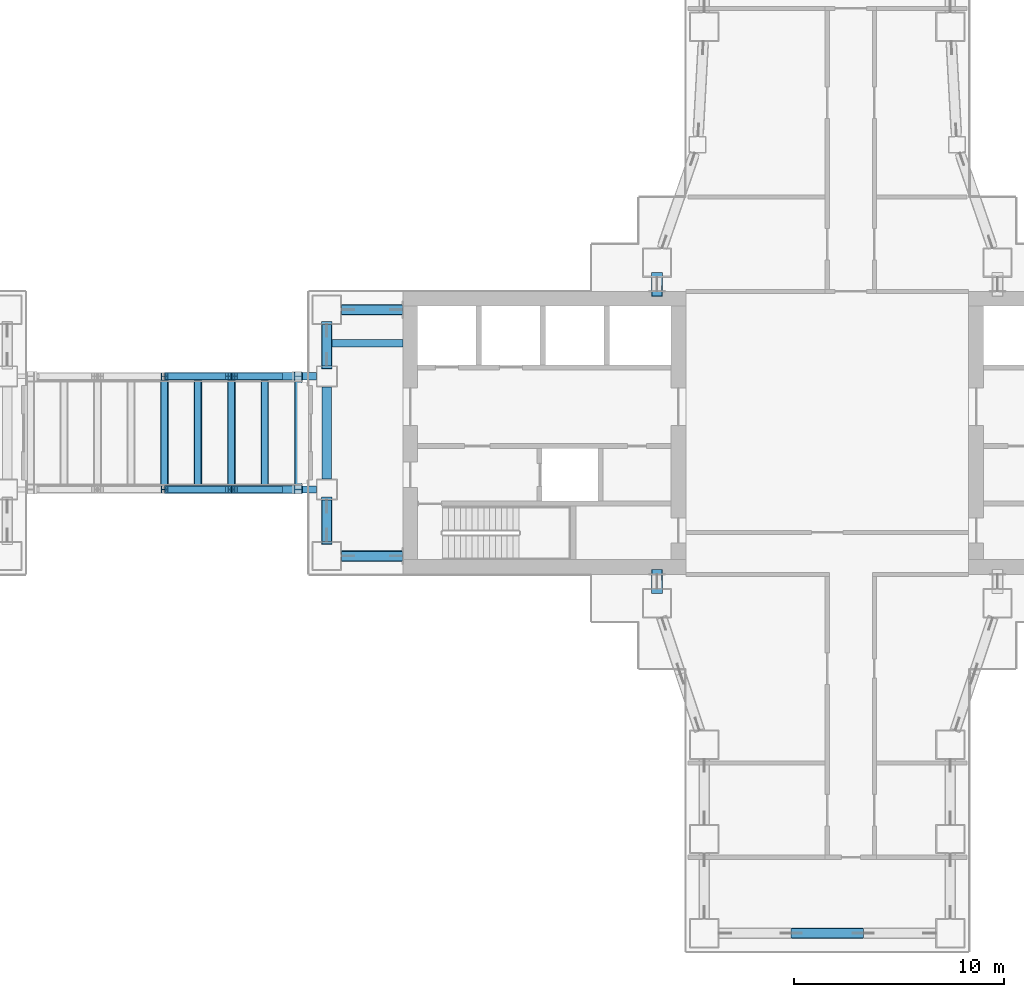
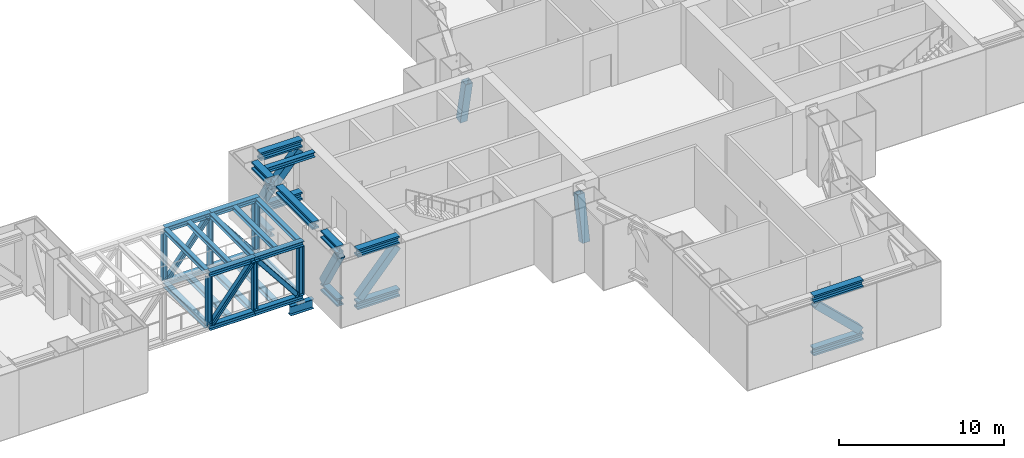
# One storey, part 6 of 23: 38 members, 11 beams.
"""IFC4 building model written with IfcOpenShell, lengths in metres."""

from ifc_helpers import new_model, si_unit, direction, frame, origin, origin_2d, place, context, subcontext, project, spatial, hollow_rectangle, i_section, extrude, material, material_profile, profile_set, type_object, element, save


model = new_model("IFC4")

# Units and contexts
model_context = context("Model", 3, precision=1e-05, world=origin(), true_north=direction((0.0, 1.0)))
body_context = subcontext(model_context, "Body", "Model", "MODEL_VIEW")
ifc_project = project(units=[si_unit("LENGTHUNIT", "METRE"), si_unit("AREAUNIT", "SQUARE_METRE"), si_unit("VOLUMEUNIT", "CUBIC_METRE"), si_unit("PLANEANGLEUNIT", "RADIAN"), si_unit("MASSUNIT", "GRAM", prefix="KILO")], contexts=[model_context])

# Site, building, storey
site_placement = place(None, origin())
site = spatial("IfcSite", under=ifc_project, at=site_placement, CompositionType="ELEMENT")
building_placement = place(site_placement, origin())
building = spatial("IfcBuilding", under=site, at=building_placement, Name="Shamsa Quay Exchange Towers", CompositionType="ELEMENT")
storey_placement = place(building_placement, frame((0.0, 0.0, 77.10009765625)))
storey = spatial("IfcBuildingStorey", under=building, at=storey_placement, Name="L17", CompositionType="ELEMENT", Elevation=77.10009765625)

# Members
ifc_material = material(Name="Steel S355", Category="steel")
ifc_material_profile_1 = material_profile(ifc_material, i_section(OverallWidth=0.354736328125, OverallDepth=0.695556640625, WebThickness=0.015380859375, FlangeThickness=0.02490234375, at=origin_2d()), Name="W27x146")
ifc_profile_set_1 = profile_set([ifc_material_profile_1], Name="Steel S355")
member_type_1 = type_object("IfcMemberType", Name="Bearing seat W27x146", PredefinedType="USERDEFINED", material=ifc_profile_set_1)
for number, where, z_axis, x_axis, name in (
    (1, (7.75, -2.699951171875, -1.065673828125), (1.0, 0.0, 0.0), (0.0, 1.0, 0.0), "Bearing seat BR1 T2 S"),
    (2, (7.75, 2.699951171875, -1.065673828125), (1.0, 0.0, 0.0), (0.0, 1.0, 0.0), "Bearing seat BR1 T2 N"),
):
    element("IfcMember", number, at=place(storey_placement, frame(where, z_axis=z_axis, x_axis=x_axis)), inside=storey, type_object=member_type_1, Name=name, ObjectType="BEARING SEAT", PredefinedType="USERDEFINED", context=body_context, shape_type="SweptSolid", body=[
        extrude(i_section(OverallWidth=0.354736328125, OverallDepth=0.695556640625, WebThickness=0.015380859375, FlangeThickness=0.02490234375, at=origin_2d()), origin(), (0.0, 0.0, 1.0), 1.625),
    ])
ifc_material_profile_2 = material_profile(ifc_material, i_section(OverallWidth=0.454345703125, OverallDepth=0.569580078125, WebThickness=0.077880859375, FlangeThickness=0.124755859375, at=origin_2d()), Name="W14x730")
ifc_profile_set_2 = profile_set([ifc_material_profile_2], Name="Steel S355")
member_type_2 = type_object("IfcMemberType", Name="Belt chord W14x730", PredefinedType="CHORD", material=ifc_profile_set_2)
for number, where, z_axis, x_axis, name in (
    (3, (32.02490234375, -23.875, 4.1650390625), (1.0, 0.0, 0.0), (0.0, 1.0, 0.0), "Belt truss chord T2 L17 6"),
    (4, (32.02490234375, -23.875, 0.28466796875), (1.0, 0.0, 0.0), (0.0, 1.0, 0.0), "Belt truss chord T2 L17 6"),
):
    element("IfcMember", number, at=place(storey_placement, frame(where, z_axis=z_axis, x_axis=x_axis)), inside=storey, type_object=member_type_2, Name=name, PredefinedType="CHORD", context=body_context, shape_type="SweptSolid", body=[
        extrude(i_section(OverallWidth=0.454345703125, OverallDepth=0.569580078125, WebThickness=0.077880859375, FlangeThickness=0.124755859375, at=origin_2d()), origin(), (0.0, 0.0, 1.0), 3.4501953125),
    ])
for number, where, z_axis, x_axis, name in (
    (5, (9.875, 5.175048828125, 4.1650390625), (0.0, -1.0, 0.0), (1.0, 0.0, 0.0), "Belt truss chord T2 L17 28"),
    (6, (9.875, 5.175048828125, 0.28466796875), (0.0, -1.0, 0.0), (1.0, 0.0, 0.0), "Belt truss chord T2 L17 28"),
    (7, (9.875, -3.199951171875, 4.1650390625), (0.0, -1.0, 0.0), (1.0, 0.0, 0.0), "Belt truss chord T2 L17 29"),
    (8, (9.875, -3.199951171875, 0.28466796875), (0.0, -1.0, 0.0), (1.0, 0.0, 0.0), "Belt truss chord T2 L17 29"),
):
    element("IfcMember", number, at=place(storey_placement, frame(where, z_axis=z_axis, x_axis=x_axis)), inside=storey, type_object=member_type_2, Name=name, PredefinedType="CHORD", context=body_context, shape_type="SweptSolid", body=[
        extrude(i_section(OverallWidth=0.454345703125, OverallDepth=0.569580078125, WebThickness=0.077880859375, FlangeThickness=0.124755859375, at=origin_2d()), origin(), (0.0, 0.0, 1.0), 1.97509765625),
    ])
member_1_placement = place(storey_placement, frame((9.875, -2.199951171875, 4.1650390625), z_axis=(0.0, 1.0, 0.0), x_axis=(-1.0, 0.0, 0.0)))
element("IfcMember", 9, at=member_1_placement, inside=storey, type_object=member_type_2, Name="Belt truss chord T2 L17 30", PredefinedType="CHORD", context=body_context, shape_type="SweptSolid", body=[
    extrude(i_section(OverallWidth=0.454345703125, OverallDepth=0.569580078125, WebThickness=0.077880859375, FlangeThickness=0.124755859375, at=origin_2d()), origin(), (0.0, 0.0, 1.0), 4.39990234375),
])
ifc_material_profile_3 = material_profile(ifc_material, hollow_rectangle(XDim=0.508056640625, YDim=0.508056640625, WallThickness=0.01904296875, at=origin_2d()), Name="HSS20x20x3/4")
ifc_profile_set_3 = profile_set([ifc_material_profile_3], Name="Steel S355")
member_type_3 = type_object("IfcMemberType", Name="Belt diagonal HSS20x20x3/4", PredefinedType="BRACE", material=ifc_profile_set_3)
member_2_placement = place(storey_placement, frame((35.283935546875, -23.875, 0.752685546875), z_axis=(-0.72148369184, 0.0, 0.692431427947), x_axis=(0.0, -1.0, 0.0)))
element("IfcMember", 10, at=member_2_placement, inside=storey, type_object=member_type_3, Name="Belt truss diagonal T2 L17 6", PredefinedType="BRACE", context=body_context, shape_type="SweptSolid", body=[
    extrude(hollow_rectangle(XDim=0.508056640625, YDim=0.508056640625, WallThickness=0.01904296875, at=origin_2d()), origin(), (0.0, 0.0, 1.0), 4.252197265625),
])
for number, where, z_axis, x_axis, name in (
    (11, (9.875, 5.097412109375, 0.699462890625), (0.0, -0.512290751577, 0.858812078308), (1.0, 0.0, 0.0), "Belt truss diagonal T2 L17 28"),
    (12, (9.875, -3.277587890625, 0.699462890625), (0.0, -0.512290751577, 0.858812078308), (1.0, 0.0, 0.0), "Belt truss diagonal T2 L17 29"),
):
    element("IfcMember", number, at=place(storey_placement, frame(where, z_axis=z_axis, x_axis=x_axis)), inside=storey, type_object=member_type_3, Name=name, PredefinedType="BRACE", context=body_context, shape_type="SweptSolid", body=[
        extrude(hollow_rectangle(XDim=0.508056640625, YDim=0.508056640625, WallThickness=0.01904296875, at=origin_2d()), origin(), (0.0, 0.0, 1.0), 3.55224609375),
    ])

# Beam
ifc_material_profile_4 = material_profile(ifc_material, i_section(OverallWidth=0.368896484375, OverallDepth=0.356201171875, WebThickness=0.01123046875, FlangeThickness=0.01806640625, at=origin_2d()), Name="W14x90")
ifc_profile_set_4 = profile_set([ifc_material_profile_4], Name="Steel S355")
beam_type_1 = type_object("IfcBeamType", Name="End-zone beam W14x90", PredefinedType="BEAM", material=ifc_profile_set_4)
beam_placement = place(storey_placement, frame((13.5, 4.27490234375, 4.27197265625), z_axis=(-1.0, 0.0, 0.0), x_axis=(0.0, -1.0, 0.0)))
element("IfcBeam", 13, at=beam_placement, inside=storey, type_object=beam_type_1, Name="Spine beam T2 V+ end zone L17", PredefinedType="BEAM", context=body_context, shape_type="SweptSolid", body=[
    extrude(i_section(OverallWidth=0.368896484375, OverallDepth=0.356201171875, WebThickness=0.01123046875, FlangeThickness=0.01806640625, at=origin_2d()), origin(), (0.0, 0.0, 1.0), 3.397705078125),
])

# Members
ifc_material_profile_5 = material_profile(ifc_material, i_section(OverallWidth=0.454345703125, OverallDepth=0.569580078125, WebThickness=0.077880859375, FlangeThickness=0.124755859375, at=origin_2d()), Name="W14x730")
ifc_profile_set_5 = profile_set([ifc_material_profile_5], Name="Steel S355")
member_type_4 = type_object("IfcMemberType", Name="Outrigger chord W14x730", PredefinedType="CHORD", material=ifc_profile_set_5)
for number, where, z_axis, x_axis, name in (
    (14, (10.574951171875, -5.875, 4.1650390625), (1.0, 0.0, 0.0), (0.0, 1.0, 0.0), "Outrigger truss chord T2 L17 1"),
    (15, (10.574951171875, -5.875, 0.28466796875), (1.0, 0.0, 0.0), (0.0, 1.0, 0.0), "Outrigger truss chord T2 L17 1"),
    (16, (10.574951171875, 5.875, 4.1650390625), (1.0, 0.0, 0.0), (0.0, 1.0, 0.0), "Outrigger truss chord T2 L17 27"),
    (17, (10.574951171875, 5.875, 0.28466796875), (1.0, 0.0, 0.0), (0.0, 1.0, 0.0), "Outrigger truss chord T2 L17 27"),
):
    element("IfcMember", number, at=place(storey_placement, frame(where, z_axis=z_axis, x_axis=x_axis)), inside=storey, type_object=member_type_4, Name=name, PredefinedType="CHORD", context=body_context, shape_type="SweptSolid", body=[
        extrude(i_section(OverallWidth=0.454345703125, OverallDepth=0.569580078125, WebThickness=0.077880859375, FlangeThickness=0.124755859375, at=origin_2d()), origin(), (0.0, 0.0, 1.0), 2.925048828125),
    ])
ifc_material_profile_6 = material_profile(ifc_material, hollow_rectangle(XDim=0.508056640625, YDim=0.508056640625, WallThickness=0.01904296875, at=origin_2d()), Name="HSS20x20x3/4")
ifc_profile_set_6 = profile_set([ifc_material_profile_6], Name="Steel S355")
member_type_5 = type_object("IfcMemberType", Name="Outrigger diagonal HSS20x20x3/4", PredefinedType="BRACE", material=ifc_profile_set_6)
member_3_placement = place(storey_placement, frame((10.7236328125, -5.875, 0.737548828125), z_axis=(0.66205079441, 0.0, 0.749458968604), x_axis=(0.0, 1.0, 0.0)))
element("IfcMember", 18, at=member_3_placement, inside=storey, type_object=member_type_5, Name="Outrigger truss diagonal T2 L17 1", PredefinedType="BRACE", context=body_context, shape_type="SweptSolid", body=[
    extrude(hollow_rectangle(XDim=0.508056640625, YDim=0.508056640625, WallThickness=0.01904296875, at=origin_2d()), origin(), (0.0, 0.0, 1.0), 3.968994140625),
])
for number, where, z_axis, x_axis, name in (
    (19, (25.625, -7.41455078125, 0.6201171875), (0.0, 0.199755563575, 0.97984576073), (-1.0, 0.0, 0.0), "Outrigger truss diagonal T2 L17 2"),
    (20, (25.625, 7.41455078125, 0.6201171875), (0.0, -0.199755563575, 0.97984576073), (1.0, 0.0, 0.0), "Outrigger truss diagonal T2 L17 26"),
):
    element("IfcMember", number, at=place(storey_placement, frame(where, z_axis=z_axis, x_axis=x_axis)), inside=storey, type_object=member_type_5, Name=name, PredefinedType="BRACE", context=body_context, shape_type="SweptSolid", body=[
        extrude(hollow_rectangle(XDim=0.508056640625, YDim=0.508056640625, WallThickness=0.01904296875, at=origin_2d()), origin(), (0.0, 0.0, 1.0), 3.275390625),
    ])
member_4_placement = place(storey_placement, frame((10.7236328125, 5.875, 0.737548828125), z_axis=(0.66205079441, 0.0, 0.749458968604), x_axis=(0.0, 1.0, 0.0)))
element("IfcMember", 21, at=member_4_placement, inside=storey, type_object=member_type_5, Name="Outrigger truss diagonal T2 L17 27", PredefinedType="BRACE", context=body_context, shape_type="SweptSolid", body=[
    extrude(hollow_rectangle(XDim=0.508056640625, YDim=0.508056640625, WallThickness=0.01904296875, at=origin_2d()), origin(), (0.0, 0.0, 1.0), 3.968994140625),
])
ifc_material_profile_7 = material_profile(ifc_material, i_section(OverallWidth=0.37255859375, OverallDepth=0.367919921875, WebThickness=0.014892578125, FlangeThickness=0.02392578125, at=origin_2d()), Name="W14x120")
ifc_profile_set_7 = profile_set([ifc_material_profile_7], Name="Steel S355")
member_type_6 = type_object("IfcMemberType", Name="Skybridge chord W14x120", PredefinedType="CHORD", material=ifc_profile_set_7)
member_5_placement = place(storey_placement, frame((2.125, -2.699951171875, 3.623779296875), z_axis=(1.0, 0.0, 0.0), x_axis=(0.0, 1.0, 0.0)))
element("IfcMember", 22, at=member_5_placement, inside=storey, type_object=member_type_6, Name="Skybridge BR1 truss S top chord", PredefinedType="CHORD", context=body_context, shape_type="SweptSolid", body=[
    extrude(i_section(OverallWidth=0.37255859375, OverallDepth=0.367919921875, WebThickness=0.014892578125, FlangeThickness=0.02392578125, at=origin_2d()), origin(), (0.0, 0.0, 1.0), 3.1943359375),
])
member_6_placement = place(storey_placement, frame((5.3193359375, -2.699951171875, 3.623779296875), z_axis=(1.0, 0.0, 0.0), x_axis=(0.0, 1.0, 0.0)))
element("IfcMember", 23, at=member_6_placement, inside=storey, type_object=member_type_6, Name="Skybridge BR1 truss S top chord", PredefinedType="CHORD", context=body_context, shape_type="SweptSolid", body=[
    extrude(i_section(OverallWidth=0.37255859375, OverallDepth=0.367919921875, WebThickness=0.014892578125, FlangeThickness=0.02392578125, at=origin_2d()), origin(), (0.0, 0.0, 1.0), 3.380615234375),
])
member_7_placement = place(storey_placement, frame((2.125, -2.699951171875, -0.333984375), z_axis=(1.0, 0.0, 0.0), x_axis=(0.0, 1.0, 0.0)))
element("IfcMember", 24, at=member_7_placement, inside=storey, type_object=member_type_6, Name="Skybridge BR1 truss S bottom chord", PredefinedType="CHORD", context=body_context, shape_type="SweptSolid", body=[
    extrude(i_section(OverallWidth=0.37255859375, OverallDepth=0.367919921875, WebThickness=0.014892578125, FlangeThickness=0.02392578125, at=origin_2d()), origin(), (0.0, 0.0, 1.0), 3.1943359375),
])
member_8_placement = place(storey_placement, frame((5.3193359375, -2.699951171875, -0.333984375), z_axis=(1.0, 0.0, 0.0), x_axis=(0.0, 1.0, 0.0)))
element("IfcMember", 25, at=member_8_placement, inside=storey, type_object=member_type_6, Name="Skybridge BR1 truss S bottom chord", PredefinedType="CHORD", context=body_context, shape_type="SweptSolid", body=[
    extrude(i_section(OverallWidth=0.37255859375, OverallDepth=0.367919921875, WebThickness=0.014892578125, FlangeThickness=0.02392578125, at=origin_2d()), origin(), (0.0, 0.0, 1.0), 3.380615234375),
])
member_9_placement = place(storey_placement, frame((2.125, 2.699951171875, 3.623779296875), z_axis=(1.0, 0.0, 0.0), x_axis=(0.0, 1.0, 0.0)))
element("IfcMember", 26, at=member_9_placement, inside=storey, type_object=member_type_6, Name="Skybridge BR1 truss N top chord", PredefinedType="CHORD", context=body_context, shape_type="SweptSolid", body=[
    extrude(i_section(OverallWidth=0.37255859375, OverallDepth=0.367919921875, WebThickness=0.014892578125, FlangeThickness=0.02392578125, at=origin_2d()), origin(), (0.0, 0.0, 1.0), 3.1943359375),
])
member_10_placement = place(storey_placement, frame((5.3193359375, 2.699951171875, 3.623779296875), z_axis=(1.0, 0.0, 0.0), x_axis=(0.0, 1.0, 0.0)))
element("IfcMember", 27, at=member_10_placement, inside=storey, type_object=member_type_6, Name="Skybridge BR1 truss N top chord", PredefinedType="CHORD", context=body_context, shape_type="SweptSolid", body=[
    extrude(i_section(OverallWidth=0.37255859375, OverallDepth=0.367919921875, WebThickness=0.014892578125, FlangeThickness=0.02392578125, at=origin_2d()), origin(), (0.0, 0.0, 1.0), 3.380615234375),
])
member_11_placement = place(storey_placement, frame((2.125, 2.699951171875, -0.333984375), z_axis=(1.0, 0.0, 0.0), x_axis=(0.0, 1.0, 0.0)))
element("IfcMember", 28, at=member_11_placement, inside=storey, type_object=member_type_6, Name="Skybridge BR1 truss N bottom chord", PredefinedType="CHORD", context=body_context, shape_type="SweptSolid", body=[
    extrude(i_section(OverallWidth=0.37255859375, OverallDepth=0.367919921875, WebThickness=0.014892578125, FlangeThickness=0.02392578125, at=origin_2d()), origin(), (0.0, 0.0, 1.0), 3.1943359375),
])
member_12_placement = place(storey_placement, frame((5.3193359375, 2.699951171875, -0.333984375), z_axis=(1.0, 0.0, 0.0), x_axis=(0.0, 1.0, 0.0)))
element("IfcMember", 29, at=member_12_placement, inside=storey, type_object=member_type_6, Name="Skybridge BR1 truss N bottom chord", PredefinedType="CHORD", context=body_context, shape_type="SweptSolid", body=[
    extrude(i_section(OverallWidth=0.37255859375, OverallDepth=0.367919921875, WebThickness=0.014892578125, FlangeThickness=0.02392578125, at=origin_2d()), origin(), (0.0, 0.0, 1.0), 3.380615234375),
])
ifc_material_profile_8 = material_profile(ifc_material, i_section(OverallWidth=0.3046875, OverallDepth=0.307861328125, WebThickness=0.010009765625, FlangeThickness=0.015380859375, at=origin_2d()), Name="W12x65")
ifc_profile_set_8 = profile_set([ifc_material_profile_8], Name="Steel S355")
member_type_7 = type_object("IfcMemberType", Name="Skybridge diagonal W12x65", PredefinedType="BRACE", material=ifc_profile_set_8)
member_13_placement = place(storey_placement, frame((2.286376953125, -2.699951171875, -0.150146484375), z_axis=(0.624630282249, 0.0, 0.780920617283), x_axis=(0.0, 1.0, 0.0)))
element("IfcMember", 30, at=member_13_placement, inside=storey, type_object=member_type_7, Name="Skybridge BR1 truss S diagonal", PredefinedType="BRACE", context=body_context, shape_type="SweptSolid", body=[
    extrude(i_section(OverallWidth=0.3046875, OverallDepth=0.307861328125, WebThickness=0.010009765625, FlangeThickness=0.015380859375, at=origin_2d()), origin(), (0.0, 0.0, 1.0), 4.59716796875),
])
member_14_placement = place(storey_placement, frame((5.480712890625, -2.699951171875, 3.43994140625), z_axis=(0.621342825962, 0.0, -0.783538826496), x_axis=(0.0, 1.0, 0.0)))
element("IfcMember", 31, at=member_14_placement, inside=storey, type_object=member_type_7, Name="Skybridge BR1 truss S diagonal", PredefinedType="BRACE", context=body_context, shape_type="SweptSolid", body=[
    extrude(i_section(OverallWidth=0.3046875, OverallDepth=0.307861328125, WebThickness=0.010009765625, FlangeThickness=0.015380859375, at=origin_2d()), origin(), (0.0, 0.0, 1.0), 4.581787109375),
])
member_15_placement = place(storey_placement, frame((2.286376953125, 2.699951171875, -0.150146484375), z_axis=(0.624630282249, 0.0, 0.780920617283), x_axis=(0.0, 1.0, 0.0)))
element("IfcMember", 32, at=member_15_placement, inside=storey, type_object=member_type_7, Name="Skybridge BR1 truss N diagonal", PredefinedType="BRACE", context=body_context, shape_type="SweptSolid", body=[
    extrude(i_section(OverallWidth=0.3046875, OverallDepth=0.307861328125, WebThickness=0.010009765625, FlangeThickness=0.015380859375, at=origin_2d()), origin(), (0.0, 0.0, 1.0), 4.59716796875),
])
member_16_placement = place(storey_placement, frame((5.480712890625, 2.699951171875, 3.43994140625), z_axis=(0.621342825962, 0.0, -0.783538826496), x_axis=(0.0, 1.0, 0.0)))
element("IfcMember", 33, at=member_16_placement, inside=storey, type_object=member_type_7, Name="Skybridge BR1 truss N diagonal", PredefinedType="BRACE", context=body_context, shape_type="SweptSolid", body=[
    extrude(i_section(OverallWidth=0.3046875, OverallDepth=0.307861328125, WebThickness=0.010009765625, FlangeThickness=0.015380859375, at=origin_2d()), origin(), (0.0, 0.0, 1.0), 4.581787109375),
])
ifc_material_profile_9 = material_profile(ifc_material, i_section(OverallWidth=0.3740234375, OverallDepth=0.372314453125, WebThickness=0.016357421875, FlangeThickness=0.026123046875, at=origin_2d()), Name="W14x132")
ifc_profile_set_9 = profile_set([ifc_material_profile_9], Name="Steel S355")
member_type_8 = type_object("IfcMemberType", Name="Skybridge end post W14x132", PredefinedType="POST", material=ifc_profile_set_9)
for number, where, z_axis, x_axis, name in (
    (34, (8.513916015625, -2.699951171875, -0.150146484375), (0.0, 0.0, 1.0), (0.0, 1.0, 0.0), "Skybridge BR1 truss S post"),
    (35, (8.513916015625, 2.699951171875, -0.150146484375), (0.0, 0.0, 1.0), (0.0, 1.0, 0.0), "Skybridge BR1 truss N post"),
):
    element("IfcMember", number, at=place(storey_placement, frame(where, z_axis=z_axis, x_axis=x_axis)), inside=storey, type_object=member_type_8, Name=name, PredefinedType="POST", context=body_context, shape_type="SweptSolid", body=[
        extrude(i_section(OverallWidth=0.3740234375, OverallDepth=0.372314453125, WebThickness=0.016357421875, FlangeThickness=0.026123046875, at=origin_2d()), origin(), (0.0, 0.0, 1.0), 3.590087890625),
    ])

# Beams
ifc_material_profile_10 = material_profile(ifc_material, i_section(OverallWidth=0.368896484375, OverallDepth=0.356201171875, WebThickness=0.01123046875, FlangeThickness=0.01806640625, at=origin_2d()), Name="W14x90")
ifc_profile_set_10 = profile_set([ifc_material_profile_10], Name="Steel S355")
beam_type_2 = type_object("IfcBeamType", Name="Skybridge floor beam W14x90", PredefinedType="BEAM", material=ifc_profile_set_10)
for number, where, z_axis, x_axis, name in (
    (36, (2.125, -2.513671875, -0.328125), (0.0, 1.0, 0.0), (-1.0, 0.0, 0.0), "Skybridge BR1 floor beam"),
    (37, (3.72216796875, -2.513671875, -0.328125), (0.0, 1.0, 0.0), (-1.0, 0.0, 0.0), "Skybridge BR1 floor beam"),
    (38, (5.3193359375, -2.513671875, -0.328125), (0.0, 1.0, 0.0), (-1.0, 0.0, 0.0), "Skybridge BR1 floor beam"),
    (39, (6.91650390625, -2.513671875, -0.328125), (0.0, 1.0, 0.0), (-1.0, 0.0, 0.0), "Skybridge BR1 floor beam"),
    (40, (8.513916015625, -2.513671875, -0.328125), (0.0, 1.0, 0.0), (-1.0, 0.0, 0.0), "Skybridge BR1 floor beam"),
):
    element("IfcBeam", number, at=place(storey_placement, frame(where, z_axis=z_axis, x_axis=x_axis)), inside=storey, type_object=beam_type_2, Name=name, PredefinedType="BEAM", context=body_context, shape_type="SweptSolid", body=[
        extrude(i_section(OverallWidth=0.368896484375, OverallDepth=0.356201171875, WebThickness=0.01123046875, FlangeThickness=0.01806640625, at=origin_2d()), origin(), (0.0, 0.0, 1.0), 5.02734375),
    ])

# Members
ifc_material_profile_11 = material_profile(ifc_material, i_section(OverallWidth=0.308837890625, OverallDepth=0.32275390625, WebThickness=0.013916015625, FlangeThickness=0.02294921875, at=origin_2d()), Name="W12x96")
ifc_profile_set_11 = profile_set([ifc_material_profile_11], Name="Steel S355")
member_type_9 = type_object("IfcMemberType", Name="Skybridge post W12x96", PredefinedType="POST", material=ifc_profile_set_11)
for number, where, z_axis, x_axis, name in (
    (41, (2.125, -2.699951171875, -0.150146484375), (0.0, 0.0, 1.0), (0.0, 1.0, 0.0), "Skybridge BR1 truss S post"),
    (42, (5.3193359375, -2.699951171875, -0.150146484375), (0.0, 0.0, 1.0), (0.0, 1.0, 0.0), "Skybridge BR1 truss S post"),
    (43, (2.125, 2.699951171875, -0.150146484375), (0.0, 0.0, 1.0), (0.0, 1.0, 0.0), "Skybridge BR1 truss N post"),
    (44, (5.3193359375, 2.699951171875, -0.150146484375), (0.0, 0.0, 1.0), (0.0, 1.0, 0.0), "Skybridge BR1 truss N post"),
):
    element("IfcMember", number, at=place(storey_placement, frame(where, z_axis=z_axis, x_axis=x_axis)), inside=storey, type_object=member_type_9, Name=name, PredefinedType="POST", context=body_context, shape_type="SweptSolid", body=[
        extrude(i_section(OverallWidth=0.308837890625, OverallDepth=0.32275390625, WebThickness=0.013916015625, FlangeThickness=0.02294921875, at=origin_2d()), origin(), (0.0, 0.0, 1.0), 3.590087890625),
    ])

# Beams
ifc_material_profile_12 = material_profile(ifc_material, i_section(OverallWidth=0.3046875, OverallDepth=0.307861328125, WebThickness=0.010009765625, FlangeThickness=0.015380859375, at=origin_2d()), Name="W12x65")
ifc_profile_set_12 = profile_set([ifc_material_profile_12], Name="Steel S355")
beam_type_3 = type_object("IfcBeamType", Name="Skybridge roof beam W12x65", PredefinedType="BEAM", material=ifc_profile_set_12)
for number, where, z_axis, x_axis, name in (
    (45, (2.125, -2.513671875, 3.65380859375), (0.0, 1.0, 0.0), (-1.0, 0.0, 0.0), "Skybridge BR1 roof beam"),
    (46, (3.72216796875, -2.513671875, 3.65380859375), (0.0, 1.0, 0.0), (-1.0, 0.0, 0.0), "Skybridge BR1 roof beam"),
    (47, (5.3193359375, -2.513671875, 3.65380859375), (0.0, 1.0, 0.0), (-1.0, 0.0, 0.0), "Skybridge BR1 roof beam"),
    (48, (6.91650390625, -2.513671875, 3.65380859375), (0.0, 1.0, 0.0), (-1.0, 0.0, 0.0), "Skybridge BR1 roof beam"),
    (49, (8.513916015625, -2.513671875, 3.65380859375), (0.0, 1.0, 0.0), (-1.0, 0.0, 0.0), "Skybridge BR1 roof beam"),
):
    element("IfcBeam", number, at=place(storey_placement, frame(where, z_axis=z_axis, x_axis=x_axis)), inside=storey, type_object=beam_type_3, Name=name, PredefinedType="BEAM", context=body_context, shape_type="SweptSolid", body=[
        extrude(i_section(OverallWidth=0.3046875, OverallDepth=0.307861328125, WebThickness=0.010009765625, FlangeThickness=0.015380859375, at=origin_2d()), origin(), (0.0, 0.0, 1.0), 5.02734375),
    ])

save(model, "model.ifc")
